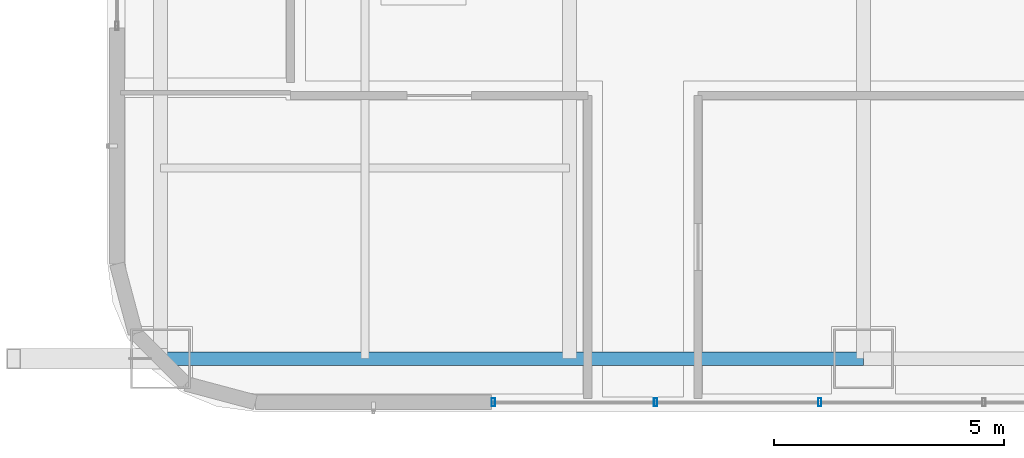
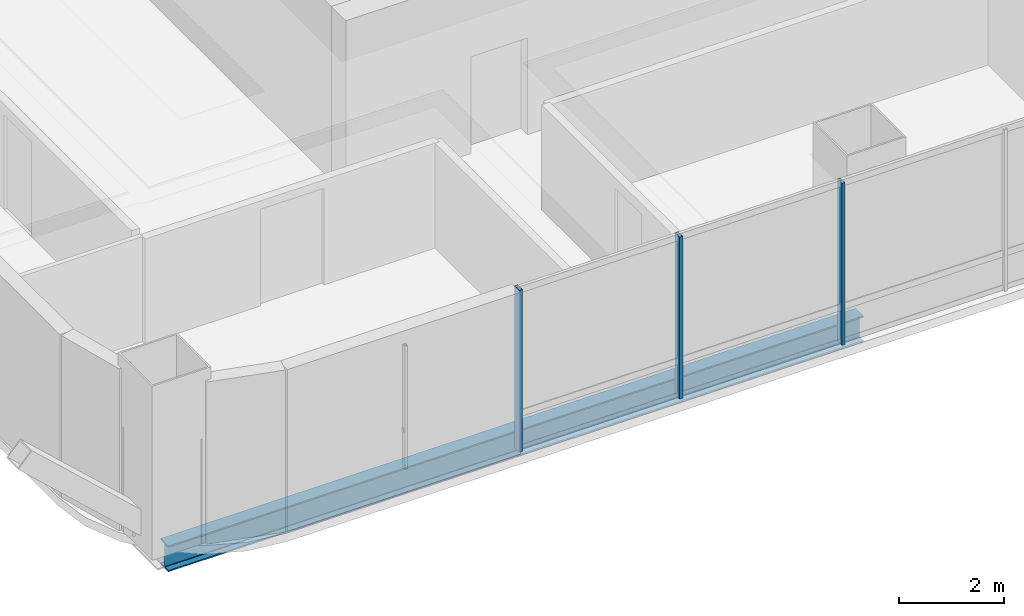
# One storey, part 2 of 51: 3 members, 1 beam, 1 element without a shape of its own.
"""IFC4 building model written with IfcOpenShell, lengths in metres."""

import ifcopenshell
import ifcopenshell.guid

model = None  # the IFC model being written
_history = None  # IfcOwnerHistory: only IFC2X3 demands one
_inside = {}  # id of a spatial element -> (the spatial element, [elements in it])
_under = {}  # id of a project, library or spatial element -> (it, [spatial elements below it])
_declared = {}  # id of a project -> (the project, [libraries it declares])
_typed = {}  # id of a type object -> (the type object, [elements of that type])
_made_of = {}  # id of a material, layer set ... -> (it, [elements and type objects made of it])


def new_model(schema):
    """Start an empty IFC model of exactly this schema.

    Asked for "IFC4X3", IfcOpenShell would pick the latest addendum, in which some entities
    have other attributes; the version numbers below select the first issue.
    IFC2X3 requires an IfcOwnerHistory on every rooted entity: one is made here for all.
    """
    global model, _history
    if schema == "IFC4X3":
        model = ifcopenshell.file(schema_version=(4, 3, 0, 0))
    else:
        model = ifcopenshell.file(schema=schema)
    _inside.clear()
    _under.clear()
    _declared.clear()
    _typed.clear()
    _made_of.clear()
    _history = None
    if model.schema == "IFC2X3":
        org = make("IfcOrganization", Name="unknown")
        user = make(
            "IfcPersonAndOrganization",
            ThePerson=make("IfcPerson", FamilyName="unknown"),
            TheOrganization=org,
        )
        app = make(
            "IfcApplication",
            ApplicationDeveloper=org,
            Version="unknown",
            ApplicationFullName="unknown",
            ApplicationIdentifier="unknown",
        )
        _history = make(
            "IfcOwnerHistory",
            OwningUser=user,
            OwningApplication=app,
            ChangeAction="ADDED",
            CreationDate=0,
        )
    return model


def make(cls, **values):
    """One entity of the class cls with the attributes given. An attribute that is None is left unset."""
    return model.create_entity(
        cls, **{name: value for name, value in values.items() if value is not None}
    )


def rooted(cls, **values):
    """An entity with a GlobalId (a new one), such as an element, a storey or a relation."""
    return make(cls, GlobalId=ifcopenshell.guid.new(), OwnerHistory=_history, **values)


def si_unit(unit_type, name, prefix=None):
    """IfcSIUnit, for example si_unit("LENGTHUNIT", "METRE", prefix="MILLI")."""
    return make("IfcSIUnit", UnitType=unit_type, Prefix=prefix, Name=name)


def assignment(units):
    """IfcUnitAssignment: the units of a project."""
    return None if units is None else make("IfcUnitAssignment", Units=units)


def point(xyz):
    """IfcCartesianPoint."""
    return None if xyz is None else make("IfcCartesianPoint", Coordinates=xyz)


def direction(xyz):
    """IfcDirection."""
    return None if xyz is None else make("IfcDirection", DirectionRatios=xyz)


def frame(location, z_axis=None, x_axis=None):
    """IfcAxis2Placement3D, a coordinate frame: its origin and axes. An axis left out is left unset."""
    return make(
        "IfcAxis2Placement3D",
        Location=point(location),
        Axis=direction(z_axis),
        RefDirection=direction(x_axis),
    )


def frame_2d(location, x_axis=None):
    """IfcAxis2Placement2D, a coordinate frame in the plane: its origin and x axis."""
    return make(
        "IfcAxis2Placement2D", Location=point(location), RefDirection=direction(x_axis)
    )


def origin():
    """The frame at (0, 0, 0) with its axes left unset."""
    return frame((0.0, 0.0, 0.0))


def origin_2d():
    """The frame at (0, 0) in the plane with its x axis left unset."""
    return frame_2d((0.0, 0.0))


def place(relative_to, where):
    """IfcLocalPlacement: puts the frame where relative to a parent placement (None: the world)."""
    return make(
        "IfcLocalPlacement", PlacementRelTo=relative_to, RelativePlacement=where
    )


def context(
    kind, dimensions, precision=None, world=None, true_north=None, identifier=None
):
    """IfcGeometricRepresentationContext, for example the 3D "Model" context."""
    return make(
        "IfcGeometricRepresentationContext",
        ContextIdentifier=identifier,
        ContextType=kind,
        CoordinateSpaceDimension=dimensions,
        Precision=precision,
        WorldCoordinateSystem=world,
        TrueNorth=true_north,
    )


def subcontext(parent, identifier, kind, view, scale=None):
    """IfcGeometricRepresentationSubContext, for example "Body" below "Model"."""
    return make(
        "IfcGeometricRepresentationSubContext",
        ContextIdentifier=identifier,
        ContextType=kind,
        ParentContext=parent,
        TargetScale=scale,
        TargetView=view,
    )


def project(units=None, contexts=None):
    """IfcProject with its units and contexts."""
    return rooted(
        "IfcProject",
        Name="project",
        RepresentationContexts=contexts,
        UnitsInContext=assignment(units),
    )


def spatial(cls, under=None, at=None, **own):
    """A site, building, storey or space (cls), placed at a placement, below another one or the project."""
    s = rooted(cls, ObjectPlacement=at, **own)
    if under is not None:
        _under.setdefault(under.id(), (under, []))[1].append(s)
    return s


def profile(cls, at=None, kind="AREA", **sizes):
    """A parametric profile (cls). Its sizes go by their IFC names, for example OverallWidth=200.0."""
    return make(cls, ProfileType=kind, Position=at, **sizes)


def hollow_rectangle(**sizes):
    """IfcRectangleHollowProfileDef."""
    return profile("IfcRectangleHollowProfileDef", **sizes)


def i_section(**sizes):
    """IfcIShapeProfileDef."""
    return profile("IfcIShapeProfileDef", **sizes)


def extrude(swept, where, along, depth):
    """IfcExtrudedAreaSolid: the profile swept, set in the frame where, extruded along a direction by depth."""
    return make(
        "IfcExtrudedAreaSolid",
        SweptArea=swept,
        Position=where,
        ExtrudedDirection=direction(along),
        Depth=depth,
    )


def shape(context_of_items, identifier, shape_type, items):
    """IfcShapeRepresentation: the items that make up one representation, for example the "Body"."""
    return make(
        "IfcShapeRepresentation",
        ContextOfItems=context_of_items,
        RepresentationIdentifier=identifier,
        RepresentationType=shape_type,
        Items=items,
    )


def material(Name=None, Category=None):
    """IfcMaterial."""
    return make("IfcMaterial", Name=Name, Category=Category)


def material_profile(
    of_material, cross_section, Name=None, Category=None, Priority=None
):
    """IfcMaterialProfile: a cross section and its material."""
    return make(
        "IfcMaterialProfile",
        Name=Name,
        Material=of_material,
        Profile=cross_section,
        Priority=Priority,
        Category=Category,
    )


def profile_set(profiles, Name=None, composite=None):
    """IfcMaterialProfileSet."""
    return make(
        "IfcMaterialProfileSet",
        Name=Name,
        MaterialProfiles=profiles,
        CompositeProfile=composite,
    )


def made_of(thing, what):
    """Note that an element or type object is made of a material, layer set ...; save() writes the relation."""
    if what is not None:
        _made_of.setdefault(what.id(), (what, []))[1].append(thing)
    return thing


def type_object(cls, material=None, **own):
    """A type object (cls), such as IfcWallType, which elements share."""
    return made_of(rooted(cls, **own), material)


def element(
    cls,
    number,
    at=None,
    inside=None,
    cuts=None,
    type_object=None,
    material=None,
    context=None,
    identifier="Body",
    shape_type=None,
    held_by="IfcProductDefinitionShape",
    body=None,
    shapes=None,
    **own,
):
    """One element of the class cls, such as IfcWall. Its Tag is "e" and its number.

    at: its placement. inside: the storey or other place that contains it. cuts: it is an
    opening in that element (IfcRelVoidsElement). A single representation is given by context,
    identifier, shape_type and body (its items); several are given by shapes. held_by: the class
    of the entity that holds the representations. save() writes the other relations.
    """
    e = rooted(cls, Tag="e%d" % number, ObjectPlacement=at, **own)
    if body is not None:
        shapes = [shape(context, identifier, shape_type, body)]
    if shapes is not None:
        e.Representation = make(held_by, Representations=shapes)
    if inside is not None:
        _inside.setdefault(inside.id(), (inside, []))[1].append(e)
    if cuts is not None:
        rooted(
            "IfcRelVoidsElement", RelatingBuildingElement=cuts, RelatedOpeningElement=e
        )
    if type_object is not None:
        _typed.setdefault(type_object.id(), (type_object, []))[1].append(e)
    return made_of(e, material)


def aggregate(whole, parts):
    """IfcRelAggregates: a whole, such as a stair, and the parts it consists of."""
    return rooted("IfcRelAggregates", RelatingObject=whole, RelatedObjects=parts)


def save(model, path):
    """Write the relations noted so far, then the file.

    IfcRelAggregates (storeys below a building ...), IfcRelContainedInSpatialStructure (elements
    in a storey), IfcRelDefinesByType, IfcRelAssociatesMaterial and IfcRelDeclares: one each for
    every whole, place, type object, material and project.
    """
    for whole, parts in _under.values():
        aggregate(whole, parts)
    for where, things in _inside.values():
        rooted(
            "IfcRelContainedInSpatialStructure",
            RelatedElements=things,
            RelatingStructure=where,
        )
    for kind, things in _typed.values():
        rooted("IfcRelDefinesByType", RelatedObjects=things, RelatingType=kind)
    for what, things in _made_of.values():
        rooted("IfcRelAssociatesMaterial", RelatedObjects=things, RelatingMaterial=what)
    for by, libraries in _declared.values():
        rooted("IfcRelDeclares", RelatingContext=by, RelatedDefinitions=libraries)
    model.write(path)


model = new_model("IFC4")

# Units and contexts
model_context = context("Model", 3, precision=1e-05, world=origin(), true_north=direction((0.0, 1.0)))
body_context = subcontext(model_context, "Body", "Model", "MODEL_VIEW")
ifc_project = project(units=[si_unit("LENGTHUNIT", "METRE"), si_unit("AREAUNIT", "SQUARE_METRE"), si_unit("VOLUMEUNIT", "CUBIC_METRE"), si_unit("PLANEANGLEUNIT", "RADIAN"), si_unit("MASSUNIT", "GRAM", prefix="KILO")], contexts=[model_context])

# Site, building, storey
site_placement = place(None, origin())
site = spatial("IfcSite", under=ifc_project, at=site_placement, CompositionType="ELEMENT")
building_placement = place(site_placement, origin())
building = spatial("IfcBuilding", under=site, at=building_placement, Name="Punatoya Terracotta Tower", CompositionType="ELEMENT")
storey_placement = place(building_placement, frame((0.0, 0.0, 279.75)))
storey = spatial("IfcBuildingStorey", under=building, at=storey_placement, Name="L66", CompositionType="ELEMENT", Elevation=279.75)

# Beam
ifc_material_1 = material(Name="Steel S355", Category="steel")
ifc_material_profile_1 = material_profile(ifc_material_1, i_section(OverallWidth=0.300048828125, OverallDepth=0.60009765625, WebThickness=0.015380859375, FlangeThickness=0.030029296875, FilletRadius=0.01806640625, at=origin_2d()))
ifc_profile_set_1 = profile_set([ifc_material_profile_1], Name="Steel S355")
beam_type = type_object("IfcBeamType", Name="BM-PRI-600", PredefinedType="BEAM", material=ifc_profile_set_1)
beam_placement = place(storey_placement, frame((-19.10009765625, -17.5, -0.5), z_axis=(1.0, 0.0, 0.0), x_axis=(0.0, 1.0, 0.0)))
element("IfcBeam", 1, at=beam_placement, inside=storey, type_object=beam_type, Name="BM-L66-RG-S1", PredefinedType="BEAM", context=body_context, shape_type="SweptSolid", body=[
    extrude(i_section(OverallWidth=0.300048828125, OverallDepth=0.60009765625, WebThickness=0.015380859375, FlangeThickness=0.030029296875, FilletRadius=0.01806640625, at=origin_2d()), origin(), (0.0, 0.0, 1.0), 15.300048828125),
])

# Curtain wall, members
ifc_material_2 = material(Name="Aluminium 6063-T6 + Double Low-E Glass", Category="aluminium")
curtain_wall_type = type_object("IfcCurtainWallType", Name="CW-M3", PredefinedType="NOTDEFINED", material=ifc_material_2)
curtain_wall_placement = place(storey_placement, origin())
curtain_wall = element("IfcCurtainWall", 2, at=curtain_wall_placement, inside=storey, type_object=curtain_wall_type, Name="L66 Curtain Wall CW-L66-S01-1", PredefinedType="NOTDEFINED")
ifc_material_3 = material(Name="Aluminium 6063-T6", Category="aluminium")
ifc_material_profile_2 = material_profile(ifc_material_3, hollow_rectangle(XDim=0.070068359375, YDim=0.179931640625, WallThickness=0.00390625, at=origin_2d()))
ifc_profile_set_2 = profile_set([ifc_material_profile_2], Name="Aluminium 6063-T6")
member_type = type_object("IfcMemberType", Name="CW-MUL-M3", PredefinedType="MULLION", material=ifc_profile_set_2)
member_1_placement = place(storey_placement, frame((-11.85498046875, -18.449951171875, 0.0), z_axis=(0.0, 0.0, 1.0), x_axis=(1.0, 0.0, 0.0)))
member_1 = element("IfcMember", 3, at=member_1_placement, type_object=member_type, Name="CW-L66-S01-1 Mullion 00", PredefinedType="MULLION", context=body_context, shape_type="SweptSolid", body=[
    extrude(hollow_rectangle(XDim=0.070068359375, YDim=0.179931640625, WallThickness=0.00390625, at=origin_2d()), origin(), (0.0, 0.0, 1.0), 3.77001953125),
])
member_2_placement = place(storey_placement, frame((-8.324951171875, -18.449951171875, 0.0), z_axis=(0.0, 0.0, 1.0), x_axis=(1.0, 0.0, 0.0)))
member_2 = element("IfcMember", 4, at=member_2_placement, type_object=member_type, Name="CW-L66-S01-1 Mullion 01", PredefinedType="MULLION", context=body_context, shape_type="SweptSolid", body=[
    extrude(hollow_rectangle(XDim=0.070068359375, YDim=0.179931640625, WallThickness=0.00390625, at=origin_2d()), origin(), (0.0, 0.0, 1.0), 3.77001953125),
])
member_3_placement = place(storey_placement, frame((-4.75, -18.449951171875, 0.0), z_axis=(0.0, 0.0, 1.0), x_axis=(1.0, 0.0, 0.0)))
member_3 = element("IfcMember", 5, at=member_3_placement, type_object=member_type, Name="CW-L66-S01-1 Mullion 02", PredefinedType="MULLION", context=body_context, shape_type="SweptSolid", body=[
    extrude(hollow_rectangle(XDim=0.070068359375, YDim=0.179931640625, WallThickness=0.00390625, at=origin_2d()), origin(), (0.0, 0.0, 1.0), 3.77001953125),
])
aggregate(curtain_wall, [member_1, member_2, member_3])

save(model, "model.ifc")
